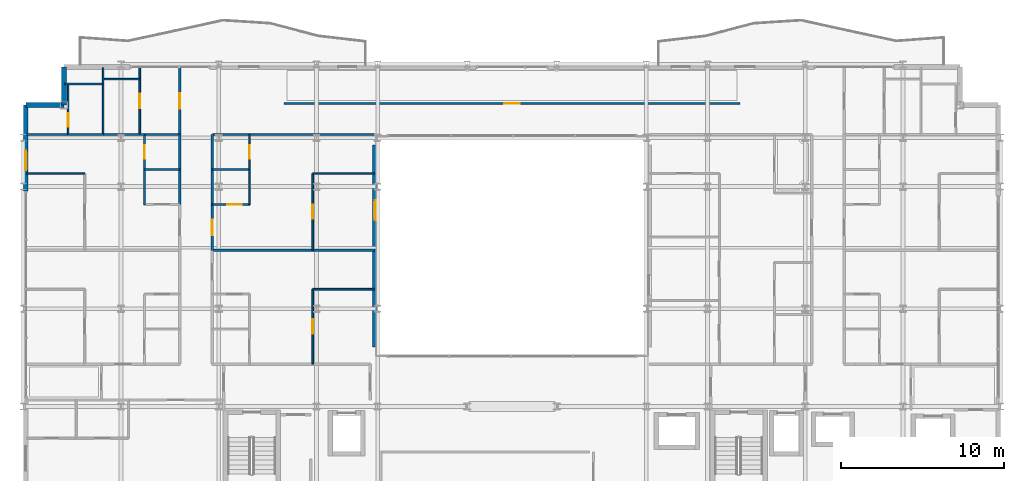
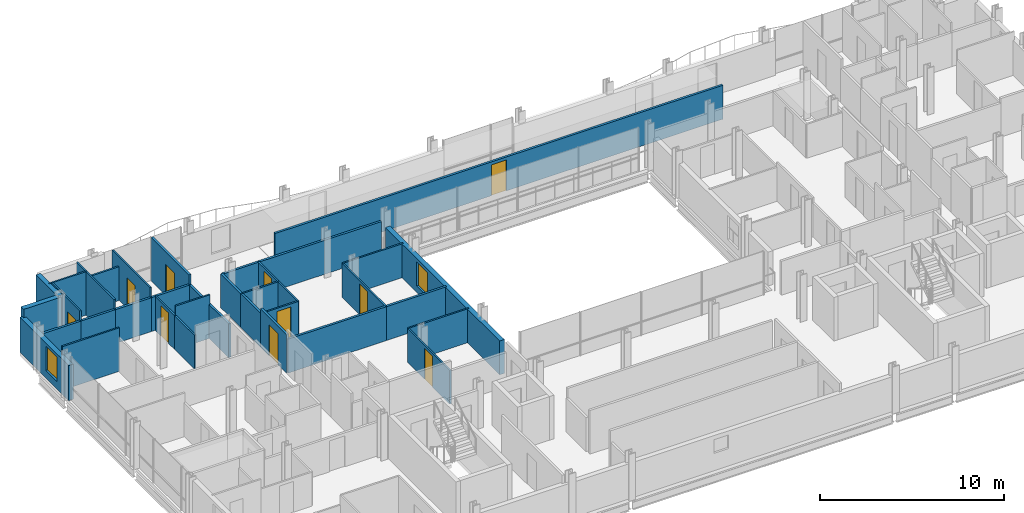
# One storey, part 33 of 41: 38 walls, 10 doors, 2 windows, 12 openings.
"""IFC4 building model written with IfcOpenShell, lengths in metres."""

from ifc_helpers import new_model, si_unit, direction, frame, frame_2d, origin, place, context, subcontext, project, spatial, rectangle, extrude, material, layer, layer_set, type_object, element, fill, save


model = new_model("IFC4")

# Units and contexts
model_context = context("Model", 3, precision=1e-05, world=origin(), true_north=direction((0.0, 1.0)))
body_context = subcontext(model_context, "Body", "Model", "MODEL_VIEW")
ifc_project = project(units=[si_unit("LENGTHUNIT", "METRE"), si_unit("AREAUNIT", "SQUARE_METRE"), si_unit("VOLUMEUNIT", "CUBIC_METRE"), si_unit("PLANEANGLEUNIT", "RADIAN"), si_unit("MASSUNIT", "GRAM", prefix="KILO")], contexts=[model_context])

# Site, building, storey
site_placement = place(None, origin())
site = spatial("IfcSite", under=ifc_project, at=site_placement, CompositionType="ELEMENT")
building_placement = place(site_placement, origin())
building = spatial("IfcBuilding", under=site, at=building_placement, Name="Brevholm Reach", CompositionType="ELEMENT")
storey_placement = place(building_placement, frame((0.0, 0.0, 112.800048828125)))
storey = spatial("IfcBuildingStorey", under=building, at=storey_placement, Name="L33", CompositionType="ELEMENT", Elevation=112.800048828125)

# Walls
ifc_material_1 = material(Name="Concrete C40/50", Category="concrete")
ifc_layer_1 = layer(ifc_material_1, 0.300048828125)
ifc_layer_set_1 = layer_set([ifc_layer_1], Name="Concrete C40/50")
wall_type_1 = type_object("IfcWallType", Name="WAL-EXT-300", PredefinedType="STANDARD", material=ifc_layer_set_1)
for number, where, z_axis, x_axis, name in (
    (1, (2.5, 30.85009765625, 0.0), (0.0, 0.0, 1.0), (0.0, -1.0, 0.0), "L33 Facade Wall WAL-L33-CNW1"),
    (2, (2.5, 28.5, 0.0), (0.0, 0.0, 1.0), (-1.0, 0.0, 0.0), "L33 Facade Wall WAL-L33-CNW2"),
):
    element("IfcWall", number, at=place(storey_placement, frame(where, z_axis=z_axis, x_axis=x_axis)), inside=storey, type_object=wall_type_1, Name=name, PredefinedType="STANDARD", context=body_context, shape_type="SweptSolid", body=[
        extrude(rectangle(XDim=2.35009765625, YDim=0.300048828125, at=frame_2d((1.175048828125, 0.0))), origin(), (0.0, 0.0, 1.0), 2.8798828125),
    ])

# Wall, opening, window
wall_1_placement = place(storey_placement, frame((0.14990234375, 28.5, 0.0), z_axis=(0.0, 0.0, 1.0), x_axis=(0.0, -1.0, 0.0)))
wall_1 = element("IfcWall", 3, at=wall_1_placement, inside=storey, type_object=wall_type_1, Name="L33 Facade Wall WAL-L33-W-N", PredefinedType="STANDARD", context=body_context, shape_type="SweptSolid", body=[
    extrude(rectangle(XDim=5.280029296875, YDim=0.300048828125, at=frame_2d((2.64013671875, 0.0))), origin(), (0.0, 0.0, 1.0), 2.32177734375),
])
opening_1_placement = place(wall_1_placement, frame((2.800048828125, 0.0, 0.501953125)))
opening_1 = element("IfcOpeningElement", 4, at=opening_1_placement, cuts=wall_1, Name="Opening WN-08", PredefinedType="OPENING", context=body_context, shape_type="SweptSolid", body=[
    extrude(rectangle(XDim=1.199951171875, YDim=1.60009765625, at=frame_2d((0.60009765625, 0.800048828125))), frame((0.0, 0.159912109375, 0.0), z_axis=(0.0, -1.0, 0.0), x_axis=(1.0, 0.0, 0.0)), (0.0, 0.0, 1.0), 0.320068359375),
])
ifc_material_2 = material(Name="Dark Anodised Aluminium and Solar-Control IGU Glass", Category="aluminium")
window_type = type_object("IfcWindowType", Name="WIN-RES-1200", PartitioningType="SINGLE_PANEL", PredefinedType="WINDOW", material=ifc_material_2)
window_1_placement = place(opening_1_placement, origin())
window_1 = element("IfcWindow", 5, at=window_1_placement, inside=storey, type_object=window_type, Name="L33 Window WIN-L33-WN-1", OverallHeight=1.60009765625, OverallWidth=1.199951171875, PartitioningType="SINGLE_PANEL", PredefinedType="WINDOW", context=body_context, shape_type="SweptSolid", body=[
    extrude(rectangle(XDim=1.199951171875, YDim=1.60009765625, at=frame_2d((0.60009765625, 0.800048828125))), frame((0.0, 0.030029296875, 0.0), z_axis=(0.0, -1.0, 0.0), x_axis=(1.0, 0.0, 0.0)), (0.0, 0.0, 1.0), 0.06005859375),
])
fill(opening_1, window_1)

wall_2_placement = place(storey_placement, frame((21.60009765625, 26.050048828125, 0.0), z_axis=(0.0, 0.0, 1.0), x_axis=(0.0, -1.0, 0.0)))
wall_2 = element("IfcWall", 6, at=wall_2_placement, inside=storey, type_object=wall_type_1, Name="L33 Facade Wall WAL-L33-AT-W", PredefinedType="STANDARD", context=body_context, shape_type="SweptSolid", body=[
    extrude(rectangle(XDim=12.400146484375, YDim=0.300048828125, at=frame_2d((6.2001953125, 0.0))), origin(), (0.0, 0.0, 1.0), 2.24267578125),
])
opening_2_placement = place(wall_2_placement, frame((3.39990234375, 0.0, 0.423095703125)))
opening_2 = element("IfcOpeningElement", 7, at=opening_2_placement, cuts=wall_2, Name="Opening WN-08", PredefinedType="OPENING", context=body_context, shape_type="SweptSolid", body=[
    extrude(rectangle(XDim=1.199951171875, YDim=1.60009765625, at=frame_2d((0.60009765625, 0.800048828125))), frame((0.0, 0.159912109375, 0.0), z_axis=(0.0, -1.0, 0.0), x_axis=(1.0, 0.0, 0.0)), (0.0, 0.0, 1.0), 0.320068359375),
])
window_2_placement = place(opening_2_placement, origin())
window_2 = element("IfcWindow", 8, at=window_2_placement, inside=storey, type_object=window_type, Name="L33 Window WIN-L33-AT-W1", OverallHeight=1.60009765625, OverallWidth=1.199951171875, PartitioningType="SINGLE_PANEL", PredefinedType="WINDOW", context=body_context, shape_type="SweptSolid", body=[
    extrude(rectangle(XDim=1.199951171875, YDim=1.60009765625, at=frame_2d((0.60009765625, 0.800048828125))), frame((0.0, 0.030029296875, 0.0), z_axis=(0.0, -1.0, 0.0), x_axis=(1.0, 0.0, 0.0)), (0.0, 0.0, 1.0), 0.06005859375),
])
fill(opening_2, window_2)

# Wall
ifc_material_3 = material(Name="Moisture-Resistant Acoustic Gypsum Stud Partition 100 mm", Category="gypsum")
ifc_layer_2 = layer(ifc_material_3, 0.10009765625)
ifc_layer_set_2 = layer_set([ifc_layer_2], Name="Moisture-Resistant Acoustic Gypsum Stud Partition 100 mm")
wall_type_2 = type_object("IfcWallType", Name="WAL-PRT-100", PredefinedType="PARTITIONING", material=ifc_layer_set_2)
wall_3_placement = place(storey_placement, frame((7.43798828125, 24.550048828125, 0.0), z_axis=(0.0, 0.0, 1.0), x_axis=(1.0, 0.0, 0.0)))
element("IfcWall", 9, at=wall_3_placement, inside=storey, type_object=wall_type_2, Name="L33 Internal Partition 095", PredefinedType="PARTITIONING", context=body_context, shape_type="SweptSolid", body=[
    extrude(rectangle(XDim=2.157958984375, YDim=0.10009765625, at=frame_2d((1.0791015625, 0.0))), origin(), (0.0, 0.0, 1.0), 2.8798828125),
])

# Wall, opening, door
wall_4_placement = place(storey_placement, frame((7.43798828125, 24.550048828125, 0.0), z_axis=(0.0, 0.0, 1.0), x_axis=(0.0, 1.0, 0.0)))
wall_4 = element("IfcWall", 10, at=wall_4_placement, inside=storey, type_object=wall_type_2, Name="L33 Internal Partition 096", PredefinedType="PARTITIONING", context=body_context, shape_type="SweptSolid", body=[
    extrude(rectangle(XDim=2.14990234375, YDim=0.10009765625, at=frame_2d((1.074951171875, 0.0))), origin(), (0.0, 0.0, 1.0), 2.24267578125),
])
opening_3_placement = place(wall_4_placement, frame((0.6650390625, 0.0, 0.0)))
opening_3 = element("IfcOpeningElement", 11, at=opening_3_placement, cuts=wall_4, Name="Opening ID-03", PredefinedType="OPENING", context=body_context, shape_type="SweptSolid", body=[
    extrude(rectangle(XDim=0.820068359375, YDim=2.02001953125, at=frame_2d((0.41015625, 1.010009765625))), frame((0.0, 0.06005859375, 0.0), z_axis=(0.0, -1.0, 0.0), x_axis=(1.0, 0.0, 0.0)), (0.0, 0.0, 1.0), 0.1201171875),
])
ifc_material_4 = material(Name="Moisture-Resistant Painted Timber Internal Bathroom Door", Category="wood")
door_type_1 = type_object("IfcDoorType", Name="DOR-BATH-820", OperationType="NOTDEFINED", PredefinedType="DOOR", material=ifc_material_4)
door_1_placement = place(opening_3_placement, origin())
door_1 = element("IfcDoor", 12, at=door_1_placement, inside=storey, type_object=door_type_1, Name="L33 Internal Door 035", OperationType="SINGLE_SWING_LEFT", OverallHeight=2.02001953125, OverallWidth=0.820068359375, PredefinedType="DOOR", context=body_context, shape_type="SweptSolid", body=[
    extrude(rectangle(XDim=0.820068359375, YDim=2.02001953125, at=frame_2d((0.41015625, 1.010009765625))), frame((0.0, 0.02490234375, 0.0), z_axis=(0.0, -1.0, 0.0), x_axis=(1.0, 0.0, 0.0)), (0.0, 0.0, 1.0), 0.050048828125),
])
fill(opening_3, door_1)

# Walls
wall_5_placement = place(storey_placement, frame((7.43798828125, 22.39990234375, 0.0), z_axis=(0.0, 0.0, 1.0), x_axis=(0.0, 1.0, 0.0)))
element("IfcWall", 13, at=wall_5_placement, inside=storey, type_object=wall_type_2, Name="L33 Internal Partition 099", PredefinedType="PARTITIONING", context=body_context, shape_type="SweptSolid", body=[
    extrude(rectangle(XDim=2.14599609375, YDim=0.10009765625, at=frame_2d((1.072998046875, 0.0))), origin(), (0.0, 0.0, 1.0), 2.24267578125),
])
wall_6_placement = place(storey_placement, frame((0.199951171875, 24.300048828125, 0.0), z_axis=(0.0, 0.0, 1.0), x_axis=(1.0, 0.0, 0.0)))
element("IfcWall", 14, at=wall_6_placement, inside=storey, type_object=wall_type_2, Name="L33 Internal Partition 101", PredefinedType="PARTITIONING", context=body_context, shape_type="SweptSolid", body=[
    extrude(rectangle(XDim=3.572021484375, YDim=0.10009765625, at=frame_2d((1.7861328125, 0.0))), origin(), (0.0, 0.0, 1.0), 2.8798828125),
])
wall_7_placement = place(storey_placement, frame((17.76904296875, 17.199951171875, 0.0), z_axis=(0.0, 0.0, 1.0), x_axis=(1.0, 0.0, 0.0)))
element("IfcWall", 15, at=wall_7_placement, inside=storey, type_object=wall_type_2, Name="L33 Internal Partition 110", PredefinedType="PARTITIONING", context=body_context, shape_type="SweptSolid", body=[
    extrude(rectangle(XDim=3.781005859375, YDim=0.10009765625, at=frame_2d((1.890625, 0.0))), origin(), (0.0, 0.0, 1.0), 2.24267578125),
])

# Wall, opening, door
wall_8_placement = place(storey_placement, frame((17.76904296875, 12.60400390625, 0.0), z_axis=(0.0, 0.0, 1.0), x_axis=(0.0, 1.0, 0.0)))
wall_8 = element("IfcWall", 16, at=wall_8_placement, inside=storey, type_object=wall_type_2, Name="L33 Internal Partition 111", PredefinedType="PARTITIONING", context=body_context, shape_type="SweptSolid", body=[
    extrude(rectangle(XDim=4.595947265625, YDim=0.10009765625, at=frame_2d((2.2978515625, 0.0))), origin(), (0.0, 0.0, 1.0), 2.24267578125),
])
opening_4_placement = place(wall_8_placement, frame((1.85791015625, 0.0, 0.0)))
opening_4 = element("IfcOpeningElement", 17, at=opening_4_placement, cuts=wall_8, Name="Opening ID-01", PredefinedType="OPENING", context=body_context, shape_type="SweptSolid", body=[
    extrude(rectangle(XDim=0.8798828125, YDim=2.0400390625, at=frame_2d((0.43994140625, 1.02001953125))), frame((0.0, 0.06005859375, 0.0), z_axis=(0.0, -1.0, 0.0), x_axis=(1.0, 0.0, 0.0)), (0.0, 0.0, 1.0), 0.1201171875),
])
ifc_material_5 = material(Name="Lacquered Ash Solid-Core Acoustic Internal Door", Category="timber")
door_type_2 = type_object("IfcDoorType", Name="DOR-INT-880", OperationType="NOTDEFINED", PredefinedType="DOOR", material=ifc_material_5)
door_2_placement = place(opening_4_placement, origin())
door_2 = element("IfcDoor", 18, at=door_2_placement, inside=storey, type_object=door_type_2, Name="L33 Internal Door 040", OperationType="SINGLE_SWING_RIGHT", OverallHeight=2.0400390625, OverallWidth=0.8798828125, PredefinedType="DOOR", context=body_context, shape_type="SweptSolid", body=[
    extrude(rectangle(XDim=0.8798828125, YDim=2.0400390625, at=frame_2d((0.43994140625, 1.02001953125))), frame((0.0, 0.02490234375, 0.0), z_axis=(0.0, -1.0, 0.0), x_axis=(1.0, 0.0, 0.0)), (0.0, 0.0, 1.0), 0.050048828125),
])
fill(opening_4, door_2)

# Wall
wall_9_placement = place(storey_placement, frame((11.60400390625, 24.550048828125, 0.0), z_axis=(0.0, 0.0, 1.0), x_axis=(1.0, 0.0, 0.0)))
element("IfcWall", 19, at=wall_9_placement, inside=storey, type_object=wall_type_2, Name="L33 Internal Partition 114", PredefinedType="PARTITIONING", context=body_context, shape_type="SweptSolid", body=[
    extrude(rectangle(XDim=2.284912109375, YDim=0.10009765625, at=frame_2d((1.142578125, 0.0))), origin(), (0.0, 0.0, 1.0), 2.24267578125),
])

# Wall, opening, door
wall_10_placement = place(storey_placement, frame((13.888916015625, 24.550048828125, 0.0), z_axis=(0.0, 0.0, 1.0), x_axis=(0.0, 1.0, 0.0)))
wall_10 = element("IfcWall", 20, at=wall_10_placement, inside=storey, type_object=wall_type_2, Name="L33 Internal Partition 115", PredefinedType="PARTITIONING", context=body_context, shape_type="SweptSolid", body=[
    extrude(rectangle(XDim=2.14599609375, YDim=0.10009765625, at=frame_2d((1.072998046875, 0.0))), origin(), (0.0, 0.0, 1.0), 2.24267578125),
])
opening_5_placement = place(wall_10_placement, frame((0.6630859375, 0.0, 0.0)))
opening_5 = element("IfcOpeningElement", 21, at=opening_5_placement, cuts=wall_10, Name="Opening ID-03", PredefinedType="OPENING", context=body_context, shape_type="SweptSolid", body=[
    extrude(rectangle(XDim=0.820068359375, YDim=2.02001953125, at=frame_2d((0.41015625, 1.010009765625))), frame((0.0, 0.06005859375, 0.0), z_axis=(0.0, -1.0, 0.0), x_axis=(1.0, 0.0, 0.0)), (0.0, 0.0, 1.0), 0.1201171875),
])
door_3_placement = place(opening_5_placement, origin())
door_3 = element("IfcDoor", 22, at=door_3_placement, inside=storey, type_object=door_type_1, Name="L33 Internal Door 041", OperationType="SINGLE_SWING_LEFT", OverallHeight=2.02001953125, OverallWidth=0.820068359375, PredefinedType="DOOR", context=body_context, shape_type="SweptSolid", body=[
    extrude(rectangle(XDim=0.820068359375, YDim=2.02001953125, at=frame_2d((0.41015625, 1.010009765625))), frame((0.0, 0.02490234375, 0.0), z_axis=(0.0, -1.0, 0.0), x_axis=(1.0, 0.0, 0.0)), (0.0, 0.0, 1.0), 0.050048828125),
])
fill(opening_5, door_3)

wall_11_placement = place(storey_placement, frame((11.60400390625, 22.39990234375, 0.0), z_axis=(0.0, 0.0, 1.0), x_axis=(1.0, 0.0, 0.0)))
wall_11 = element("IfcWall", 23, at=wall_11_placement, inside=storey, type_object=wall_type_2, Name="L33 Internal Partition 116", PredefinedType="PARTITIONING", context=body_context, shape_type="SweptSolid", body=[
    extrude(rectangle(XDim=2.284912109375, YDim=0.10009765625, at=frame_2d((1.142578125, 0.0))), origin(), (0.0, 0.0, 1.0), 2.24267578125),
])
opening_6_placement = place(wall_11_placement, frame((0.922607421875, 0.0, 0.0)))
opening_6 = element("IfcOpeningElement", 24, at=opening_6_placement, cuts=wall_11, Name="Opening ID-01", PredefinedType="OPENING", context=body_context, shape_type="SweptSolid", body=[
    extrude(rectangle(XDim=0.8798828125, YDim=2.0400390625, at=frame_2d((0.43994140625, 1.02001953125))), frame((0.0, 0.06005859375, 0.0), z_axis=(0.0, -1.0, 0.0), x_axis=(1.0, 0.0, 0.0)), (0.0, 0.0, 1.0), 0.1201171875),
])
door_4_placement = place(opening_6_placement, origin())
door_4 = element("IfcDoor", 25, at=door_4_placement, inside=storey, type_object=door_type_2, Name="L33 Internal Door 042", OperationType="SINGLE_SWING_RIGHT", OverallHeight=2.0400390625, OverallWidth=0.8798828125, PredefinedType="DOOR", context=body_context, shape_type="SweptSolid", body=[
    extrude(rectangle(XDim=0.8798828125, YDim=2.0400390625, at=frame_2d((0.43994140625, 1.02001953125))), frame((0.0, 0.02490234375, 0.0), z_axis=(0.0, -1.0, 0.0), x_axis=(1.0, 0.0, 0.0)), (0.0, 0.0, 1.0), 0.050048828125),
])
fill(opening_6, door_4)

# Walls
wall_12_placement = place(storey_placement, frame((13.888916015625, 22.39990234375, 0.0), z_axis=(0.0, 0.0, 1.0), x_axis=(0.0, 1.0, 0.0)))
element("IfcWall", 26, at=wall_12_placement, inside=storey, type_object=wall_type_2, Name="L33 Internal Partition 117", PredefinedType="PARTITIONING", context=body_context, shape_type="SweptSolid", body=[
    extrude(rectangle(XDim=2.14599609375, YDim=0.10009765625, at=frame_2d((1.072998046875, 0.0))), origin(), (0.0, 0.0, 1.0), 2.24267578125),
])
wall_13_placement = place(storey_placement, frame((17.76904296875, 24.300048828125, 0.0), z_axis=(0.0, 0.0, 1.0), x_axis=(1.0, 0.0, 0.0)))
element("IfcWall", 27, at=wall_13_placement, inside=storey, type_object=wall_type_2, Name="L33 Internal Partition 118", PredefinedType="PARTITIONING", context=body_context, shape_type="SweptSolid", body=[
    extrude(rectangle(XDim=3.781005859375, YDim=0.10009765625, at=frame_2d((1.890625, 0.0))), origin(), (0.0, 0.0, 1.0), 2.24267578125),
])

# Wall, opening, door
wall_14_placement = place(storey_placement, frame((17.76904296875, 19.60400390625, 0.0), z_axis=(0.0, 0.0, 1.0), x_axis=(0.0, 1.0, 0.0)))
wall_14 = element("IfcWall", 28, at=wall_14_placement, inside=storey, type_object=wall_type_2, Name="L33 Internal Partition 119", PredefinedType="PARTITIONING", context=body_context, shape_type="SweptSolid", body=[
    extrude(rectangle(XDim=4.696044921875, YDim=0.10009765625, at=frame_2d((2.34814453125, 0.0))), origin(), (0.0, 0.0, 1.0), 2.24267578125),
])
opening_7_placement = place(wall_14_placement, frame((1.907958984375, 0.0, 0.0)))
opening_7 = element("IfcOpeningElement", 29, at=opening_7_placement, cuts=wall_14, Name="Opening ID-01", PredefinedType="OPENING", context=body_context, shape_type="SweptSolid", body=[
    extrude(rectangle(XDim=0.8798828125, YDim=2.0400390625, at=frame_2d((0.43994140625, 1.02001953125))), frame((0.0, 0.06005859375, 0.0), z_axis=(0.0, -1.0, 0.0), x_axis=(1.0, 0.0, 0.0)), (0.0, 0.0, 1.0), 0.1201171875),
])
door_5_placement = place(opening_7_placement, origin())
door_5 = element("IfcDoor", 30, at=door_5_placement, inside=storey, type_object=door_type_2, Name="L33 Internal Door 043", OperationType="SINGLE_SWING_LEFT", OverallHeight=2.0400390625, OverallWidth=0.8798828125, PredefinedType="DOOR", context=body_context, shape_type="SweptSolid", body=[
    extrude(rectangle(XDim=0.8798828125, YDim=2.0400390625, at=frame_2d((0.43994140625, 1.02001953125))), frame((0.0, 0.02490234375, 0.0), z_axis=(0.0, -1.0, 0.0), x_axis=(1.0, 0.0, 0.0)), (0.0, 0.0, 1.0), 0.050048828125),
])
fill(opening_7, door_5)

# Walls
wall_15_placement = place(storey_placement, frame((4.89990234375, 26.7041015625, 0.0), z_axis=(0.0, 0.0, 1.0), x_axis=(0.0, 1.0, 0.0)))
element("IfcWall", 31, at=wall_15_placement, inside=storey, type_object=wall_type_2, Name="L33 Internal Partition 151", PredefinedType="PARTITIONING", context=body_context, shape_type="SweptSolid", body=[
    extrude(rectangle(XDim=3.095947265625, YDim=0.10009765625, at=frame_2d((1.5478515625, 0.0))), origin(), (0.0, 0.0, 1.0), 2.8798828125),
])
wall_16_placement = place(storey_placement, frame((2.550048828125, 29.800048828125, 0.0), z_axis=(0.0, 0.0, 1.0), x_axis=(1.0, 0.0, 0.0)))
element("IfcWall", 32, at=wall_16_placement, inside=storey, type_object=wall_type_2, Name="L33 Internal Partition 152", PredefinedType="PARTITIONING", context=body_context, shape_type="SweptSolid", body=[
    extrude(rectangle(XDim=2.349853515625, YDim=0.10009765625, at=frame_2d((1.1748046875, 0.0))), origin(), (0.0, 0.0, 1.0), 2.8798828125),
])

# Wall, opening, door
wall_17_placement = place(storey_placement, frame((2.75, 26.7041015625, 0.0), z_axis=(0.0, 0.0, 1.0), x_axis=(0.0, 1.0, 0.0)))
wall_17 = element("IfcWall", 33, at=wall_17_placement, inside=storey, type_object=wall_type_2, Name="L33 Internal Partition 153", PredefinedType="PARTITIONING", context=body_context, shape_type="SweptSolid", body=[
    extrude(rectangle(XDim=3.095947265625, YDim=0.10009765625, at=frame_2d((1.5478515625, 0.0))), origin(), (0.0, 0.0, 1.0), 2.8798828125),
])
opening_8_placement = place(wall_17_placement, frame((0.47802734375, 0.0, 0.0)))
opening_8 = element("IfcOpeningElement", 34, at=opening_8_placement, cuts=wall_17, Name="Opening ID-03", PredefinedType="OPENING", context=body_context, shape_type="SweptSolid", body=[
    extrude(rectangle(XDim=0.820068359375, YDim=2.02001953125, at=frame_2d((0.41015625, 1.010009765625))), frame((0.0, 0.06005859375, 0.0), z_axis=(0.0, -1.0, 0.0), x_axis=(1.0, 0.0, 0.0)), (0.0, 0.0, 1.0), 0.1201171875),
])
door_6_placement = place(opening_8_placement, origin())
door_6 = element("IfcDoor", 35, at=door_6_placement, inside=storey, type_object=door_type_1, Name="L33 Internal Door 056", OperationType="SINGLE_SWING_RIGHT", OverallHeight=2.02001953125, OverallWidth=0.820068359375, PredefinedType="DOOR", context=body_context, shape_type="SweptSolid", body=[
    extrude(rectangle(XDim=0.820068359375, YDim=2.02001953125, at=frame_2d((0.41015625, 1.010009765625))), frame((0.0, 0.02490234375, 0.0), z_axis=(0.0, -1.0, 0.0), x_axis=(1.0, 0.0, 0.0)), (0.0, 0.0, 1.0), 0.050048828125),
])
fill(opening_8, door_6)

wall_18_placement = place(storey_placement, frame((7.14990234375, 26.7041015625, 0.0), z_axis=(0.0, 0.0, 1.0), x_axis=(0.0, 1.0, 0.0)))
wall_18 = element("IfcWall", 36, at=wall_18_placement, inside=storey, type_object=wall_type_2, Name="L33 Internal Partition 154", PredefinedType="PARTITIONING", context=body_context, shape_type="SweptSolid", body=[
    extrude(rectangle(XDim=4.095947265625, YDim=0.10009765625, at=frame_2d((2.0478515625, 0.0))), origin(), (0.0, 0.0, 1.0), 2.8798828125),
])
opening_9_placement = place(wall_18_placement, frame((1.60791015625, 0.0, 0.0)))
opening_9 = element("IfcOpeningElement", 37, at=opening_9_placement, cuts=wall_18, Name="Opening ID-01", PredefinedType="OPENING", context=body_context, shape_type="SweptSolid", body=[
    extrude(rectangle(XDim=0.8798828125, YDim=2.0400390625, at=frame_2d((0.43994140625, 1.02001953125))), frame((0.0, 0.06005859375, 0.0), z_axis=(0.0, -1.0, 0.0), x_axis=(1.0, 0.0, 0.0)), (0.0, 0.0, 1.0), 0.1201171875),
])
door_7_placement = place(opening_9_placement, origin())
door_7 = element("IfcDoor", 38, at=door_7_placement, inside=storey, type_object=door_type_2, Name="L33 Internal Door 057", OperationType="SINGLE_SWING_LEFT", OverallHeight=2.0400390625, OverallWidth=0.8798828125, PredefinedType="DOOR", context=body_context, shape_type="SweptSolid", body=[
    extrude(rectangle(XDim=0.8798828125, YDim=2.0400390625, at=frame_2d((0.43994140625, 1.02001953125))), frame((0.0, 0.02490234375, 0.0), z_axis=(0.0, -1.0, 0.0), x_axis=(1.0, 0.0, 0.0)), (0.0, 0.0, 1.0), 0.050048828125),
])
fill(opening_9, door_7)

# Walls
wall_19_placement = place(storey_placement, frame((4.89990234375, 30.10009765625, 0.0), z_axis=(0.0, 0.0, 1.0), x_axis=(1.0, 0.0, 0.0)))
element("IfcWall", 39, at=wall_19_placement, inside=storey, type_object=wall_type_2, Name="L33 Internal Partition 155", PredefinedType="PARTITIONING", context=body_context, shape_type="SweptSolid", body=[
    extrude(rectangle(XDim=2.25, YDim=0.10009765625, at=frame_2d((1.125, 0.0))), origin(), (0.0, 0.0, 1.0), 2.24267578125),
])
wall_20_placement = place(storey_placement, frame((4.89990234375, 29.803955078125, 0.0), z_axis=(0.0, 0.0, 1.0), x_axis=(0.0, 1.0, 0.0)))
element("IfcWall", 40, at=wall_20_placement, inside=storey, type_object=wall_type_2, Name="L33 Internal Partition 156", PredefinedType="PARTITIONING", context=body_context, shape_type="SweptSolid", body=[
    extrude(rectangle(XDim=0.99609375, YDim=0.10009765625, at=frame_2d((0.498046875, 0.0))), origin(), (0.0, 0.0, 1.0), 2.8798828125),
])
ifc_material_6 = material(Name="Twin-Stud Acoustic Fire-Rated Gypsum Partition 140 mm", Category="gypsum")
ifc_layer_3 = layer(ifc_material_6, 0.139892578125)
ifc_layer_set_3 = layer_set([ifc_layer_3], Name="Twin-Stud Acoustic Fire-Rated Gypsum Partition 140 mm")
wall_type_3 = type_object("IfcWallType", Name="WAL-PRT-140", PredefinedType="PARTITIONING", material=ifc_layer_set_3)
wall_21_placement = place(storey_placement, frame((9.60009765625, 24.538818359375, 0.0), z_axis=(0.0, 0.0, 1.0), x_axis=(0.0, 1.0, 0.0)))
element("IfcWall", 41, at=wall_21_placement, inside=storey, type_object=wall_type_3, Name="L33 Internal Partition 036", PredefinedType="PARTITIONING", context=body_context, shape_type="SweptSolid", body=[
    extrude(rectangle(XDim=2.17236328125, YDim=0.139892578125, at=frame_2d((1.086181640625, 0.0))), origin(), (0.0, 0.0, 1.0), 2.24267578125),
])
wall_22_placement = place(storey_placement, frame((9.60009765625, 22.388671875, 0.0), z_axis=(0.0, 0.0, 1.0), x_axis=(0.0, 1.0, 0.0)))
element("IfcWall", 42, at=wall_22_placement, inside=storey, type_object=wall_type_3, Name="L33 Internal Partition 037", PredefinedType="PARTITIONING", context=body_context, shape_type="SweptSolid", body=[
    extrude(rectangle(XDim=2.168701171875, YDim=0.139892578125, at=frame_2d((1.08447265625, 0.0))), origin(), (0.0, 0.0, 1.0), 2.24267578125),
])
wall_23_placement = place(storey_placement, frame((11.60009765625, 24.538818359375, 0.0), z_axis=(0.0, 0.0, 1.0), x_axis=(0.0, 1.0, 0.0)))
element("IfcWall", 43, at=wall_23_placement, inside=storey, type_object=wall_type_3, Name="L33 Internal Partition 042", PredefinedType="PARTITIONING", context=body_context, shape_type="SweptSolid", body=[
    extrude(rectangle(XDim=2.16845703125, YDim=0.139892578125, at=frame_2d((1.084228515625, 0.0))), origin(), (0.0, 0.0, 1.0), 2.24267578125),
])
wall_24_placement = place(storey_placement, frame((11.60009765625, 22.388671875, 0.0), z_axis=(0.0, 0.0, 1.0), x_axis=(0.0, 1.0, 0.0)))
element("IfcWall", 44, at=wall_24_placement, inside=storey, type_object=wall_type_3, Name="L33 Internal Partition 043", PredefinedType="PARTITIONING", context=body_context, shape_type="SweptSolid", body=[
    extrude(rectangle(XDim=2.168701171875, YDim=0.139892578125, at=frame_2d((1.08447265625, 0.0))), origin(), (0.0, 0.0, 1.0), 2.24267578125),
])

# Wall, opening, door
wall_25_placement = place(storey_placement, frame((11.60009765625, 19.5927734375, 0.0), z_axis=(0.0, 0.0, 1.0), x_axis=(0.0, 1.0, 0.0)))
wall_25 = element("IfcWall", 45, at=wall_25_placement, inside=storey, type_object=wall_type_3, Name="L33 Internal Partition 044", PredefinedType="PARTITIONING", context=body_context, shape_type="SweptSolid", body=[
    extrude(rectangle(XDim=2.814453125, YDim=0.139892578125, at=frame_2d((1.4072265625, 0.0))), origin(), (0.0, 0.0, 1.0), 2.551513671875),
])
opening_10_placement = place(wall_25_placement, frame((0.932373046875, 0.0, 0.0)))
opening_10 = element("IfcOpeningElement", 46, at=opening_10_placement, cuts=wall_25, Name="Opening ID-30", PredefinedType="OPENING", context=body_context, shape_type="SweptSolid", body=[
    extrude(rectangle(XDim=0.949951171875, YDim=2.050048828125, at=frame_2d((0.47509765625, 1.02490234375))), frame((0.0, 0.079833984375, 0.0), z_axis=(0.0, -1.0, 0.0), x_axis=(1.0, 0.0, 0.0)), (0.0, 0.0, 1.0), 0.159912109375),
])
ifc_material_7 = material(Name="European Oak Veneered Solid-Core Fire Entrance Door", Category="timber")
door_type_3 = type_object("IfcDoorType", Name="DOR-FLT-FD30S", OperationType="NOTDEFINED", PredefinedType="DOOR", material=ifc_material_7)
door_8_placement = place(opening_10_placement, origin())
door_8 = element("IfcDoor", 47, at=door_8_placement, inside=storey, type_object=door_type_3, Name="L33 Internal Door 018", OperationType="SINGLE_SWING_RIGHT", OverallHeight=2.050048828125, OverallWidth=0.949951171875, PredefinedType="DOOR", context=body_context, shape_type="SweptSolid", body=[
    extrude(rectangle(XDim=0.949951171875, YDim=2.050048828125, at=frame_2d((0.47509765625, 1.02490234375))), frame((0.0, 0.02490234375, 0.0), z_axis=(0.0, -1.0, 0.0), x_axis=(1.0, 0.0, 0.0)), (0.0, 0.0, 1.0), 0.050048828125),
])
fill(opening_10, door_8)

wall_26_placement = place(storey_placement, frame((9.60009765625, 26.692626953125, 0.0), z_axis=(0.0, 0.0, 1.0), x_axis=(0.0, 1.0, 0.0)))
wall_26 = element("IfcWall", 48, at=wall_26_placement, inside=storey, type_object=wall_type_3, Name="L33 Internal Partition 045", PredefinedType="PARTITIONING", context=body_context, shape_type="SweptSolid", body=[
    extrude(rectangle(XDim=4.107421875, YDim=0.139892578125, at=frame_2d((2.0537109375, 0.0))), origin(), (0.0, 0.0, 1.0), 2.8798828125),
])
opening_11_placement = place(wall_26_placement, frame((1.57861328125, 0.0, 0.0)))
opening_11 = element("IfcOpeningElement", 49, at=opening_11_placement, cuts=wall_26, Name="Opening ID-30", PredefinedType="OPENING", context=body_context, shape_type="SweptSolid", body=[
    extrude(rectangle(XDim=0.949951171875, YDim=2.050048828125, at=frame_2d((0.47509765625, 1.02490234375))), frame((0.0, 0.079833984375, 0.0), z_axis=(0.0, -1.0, 0.0), x_axis=(1.0, 0.0, 0.0)), (0.0, 0.0, 1.0), 0.159912109375),
])
door_9_placement = place(opening_11_placement, origin())
door_9 = element("IfcDoor", 50, at=door_9_placement, inside=storey, type_object=door_type_3, Name="L33 Internal Door 019", OperationType="SINGLE_SWING_LEFT", OverallHeight=2.050048828125, OverallWidth=0.949951171875, PredefinedType="DOOR", context=body_context, shape_type="SweptSolid", body=[
    extrude(rectangle(XDim=0.949951171875, YDim=2.050048828125, at=frame_2d((0.47509765625, 1.02490234375))), frame((0.0, 0.02490234375, 0.0), z_axis=(0.0, -1.0, 0.0), x_axis=(1.0, 0.0, 0.0)), (0.0, 0.0, 1.0), 0.050048828125),
])
fill(opening_11, door_9)

# Walls
wall_27_placement = place(storey_placement, frame((11.60400390625, 26.699951171875, 0.0), z_axis=(0.0, 0.0, 1.0), x_axis=(1.0, 0.0, 0.0)))
element("IfcWall", 51, at=wall_27_placement, inside=storey, type_object=wall_type_3, Name="L33 Internal Partition 057", PredefinedType="PARTITIONING", context=body_context, shape_type="SweptSolid", body=[
    extrude(rectangle(XDim=2.29638671875, YDim=0.139892578125, at=frame_2d((1.148193359375, 0.0))), origin(), (0.0, 0.0, 1.0), 2.24267578125),
])
wall_28_placement = place(storey_placement, frame((13.881591796875, 26.699951171875, 0.0), z_axis=(0.0, 0.0, 1.0), x_axis=(1.0, 0.0, 0.0)))
element("IfcWall", 52, at=wall_28_placement, inside=storey, type_object=wall_type_3, Name="L33 Internal Partition 058", PredefinedType="PARTITIONING", context=body_context, shape_type="SweptSolid", body=[
    extrude(rectangle(XDim=7.6796875, YDim=0.139892578125, at=frame_2d((3.83984375, 0.0))), origin(), (0.0, 0.0, 1.0), 2.24267578125),
])

# Wall, opening, door
wall_29_placement = place(storey_placement, frame((15.98876953125, 28.60009765625, 0.0), z_axis=(0.0, 0.0, 1.0), x_axis=(1.0, 0.0, 0.0)))
wall_29 = element("IfcWall", 53, at=wall_29_placement, inside=storey, type_object=wall_type_3, Name="L33 Internal Partition 061", PredefinedType="PARTITIONING", context=body_context, shape_type="SweptSolid", body=[
    extrude(rectangle(XDim=28.0224609375, YDim=0.139892578125, at=frame_2d((14.01123046875, 0.0))), origin(), (0.0, 0.0, 1.0), 2.24267578125),
])
opening_12_placement = place(wall_29_placement, frame((13.536376953125, 0.0, 0.0)))
opening_12 = element("IfcOpeningElement", 54, at=opening_12_placement, cuts=wall_29, Name="Opening ID-30", PredefinedType="OPENING", context=body_context, shape_type="SweptSolid", body=[
    extrude(rectangle(XDim=0.949951171875, YDim=2.050048828125, at=frame_2d((0.47509765625, 1.02490234375))), frame((0.0, 0.079833984375, 0.0), z_axis=(0.0, -1.0, 0.0), x_axis=(1.0, 0.0, 0.0)), (0.0, 0.0, 1.0), 0.159912109375),
])
door_10_placement = place(opening_12_placement, origin())
door_10 = element("IfcDoor", 55, at=door_10_placement, inside=storey, type_object=door_type_3, Name="L33 Internal Door 023", OperationType="SINGLE_SWING_LEFT", OverallHeight=2.050048828125, OverallWidth=0.949951171875, PredefinedType="DOOR", context=body_context, shape_type="SweptSolid", body=[
    extrude(rectangle(XDim=0.949951171875, YDim=2.050048828125, at=frame_2d((0.47509765625, 1.02490234375))), frame((0.0, 0.02490234375, 0.0), z_axis=(0.0, -1.0, 0.0), x_axis=(1.0, 0.0, 0.0)), (0.0, 0.0, 1.0), 0.050048828125),
])
fill(opening_12, door_10)

# Walls
wall_30_placement = place(storey_placement, frame((7.43798828125, 26.699951171875, 0.0), z_axis=(0.0, 0.0, 1.0), x_axis=(1.0, 0.0, 0.0)))
element("IfcWall", 56, at=wall_30_placement, inside=storey, type_object=wall_type_3, Name="L33 Internal Partition 097", PredefinedType="PARTITIONING", context=body_context, shape_type="SweptSolid", body=[
    extrude(rectangle(XDim=2.157958984375, YDim=0.139892578125, at=frame_2d((1.0791015625, 0.0))), origin(), (0.0, 0.0, 1.0), 2.24267578125),
])
wall_31_placement = place(storey_placement, frame((2.73876953125, 26.699951171875, 0.0), z_axis=(0.0, 0.0, 1.0), x_axis=(1.0, 0.0, 0.0)))
element("IfcWall", 57, at=wall_31_placement, inside=storey, type_object=wall_type_3, Name="L33 Internal Partition 102", PredefinedType="PARTITIONING", context=body_context, shape_type="SweptSolid", body=[
    extrude(rectangle(XDim=2.172607421875, YDim=0.139892578125, at=frame_2d((1.08642578125, 0.0))), origin(), (0.0, 0.0, 1.0), 2.24267578125),
])
wall_32_placement = place(storey_placement, frame((4.892578125, 26.699951171875, 0.0), z_axis=(0.0, 0.0, 1.0), x_axis=(1.0, 0.0, 0.0)))
element("IfcWall", 58, at=wall_32_placement, inside=storey, type_object=wall_type_3, Name="L33 Internal Partition 103", PredefinedType="PARTITIONING", context=body_context, shape_type="SweptSolid", body=[
    extrude(rectangle(XDim=2.268798828125, YDim=0.139892578125, at=frame_2d((1.13427734375, 0.0))), origin(), (0.0, 0.0, 1.0), 2.24267578125),
])
wall_33_placement = place(storey_placement, frame((7.142578125, 26.699951171875, 0.0), z_axis=(0.0, 0.0, 1.0), x_axis=(1.0, 0.0, 0.0)))
element("IfcWall", 59, at=wall_33_placement, inside=storey, type_object=wall_type_3, Name="L33 Internal Partition 104", PredefinedType="PARTITIONING", context=body_context, shape_type="SweptSolid", body=[
    extrude(rectangle(XDim=0.29150390625, YDim=0.139892578125, at=frame_2d((0.145751953125, 0.0))), origin(), (0.0, 0.0, 1.0), 2.24267578125),
])
wall_34_placement = place(storey_placement, frame((0.199951171875, 26.699951171875, 0.0), z_axis=(0.0, 0.0, 1.0), x_axis=(1.0, 0.0, 0.0)))
element("IfcWall", 60, at=wall_34_placement, inside=storey, type_object=wall_type_3, Name="L33 Internal Partition 105", PredefinedType="PARTITIONING", context=body_context, shape_type="SweptSolid", body=[
    extrude(rectangle(XDim=2.557373046875, YDim=0.139892578125, at=frame_2d((1.27880859375, 0.0))), origin(), (0.0, 0.0, 1.0), 2.24267578125),
])
wall_35_placement = place(storey_placement, frame((17.7578125, 19.60009765625, 0.0), z_axis=(0.0, 0.0, 1.0), x_axis=(1.0, 0.0, 0.0)))
element("IfcWall", 61, at=wall_35_placement, inside=storey, type_object=wall_type_3, Name="L33 Internal Partition 112", PredefinedType="PARTITIONING", context=body_context, shape_type="SweptSolid", body=[
    extrude(rectangle(XDim=3.792236328125, YDim=0.139892578125, at=frame_2d((1.89599609375, 0.0))), origin(), (0.0, 0.0, 1.0), 2.24267578125),
])
wall_36_placement = place(storey_placement, frame((11.60400390625, 19.60009765625, 0.0), z_axis=(0.0, 0.0, 1.0), x_axis=(1.0, 0.0, 0.0)))
element("IfcWall", 62, at=wall_36_placement, inside=storey, type_object=wall_type_3, Name="L33 Internal Partition 113", PredefinedType="PARTITIONING", context=body_context, shape_type="SweptSolid", body=[
    extrude(rectangle(XDim=6.17236328125, YDim=0.139892578125, at=frame_2d((3.086181640625, 0.0))), origin(), (0.0, 0.0, 1.0), 2.24267578125),
])

save(model, "model.ifc")
